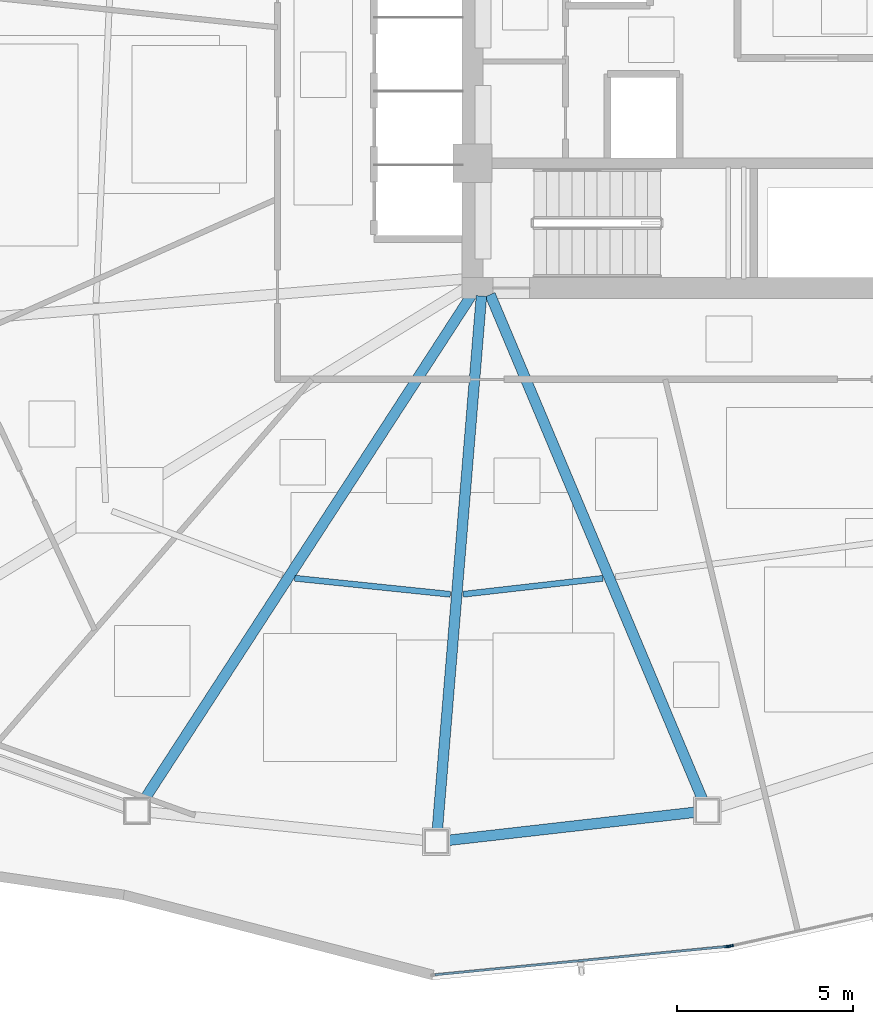
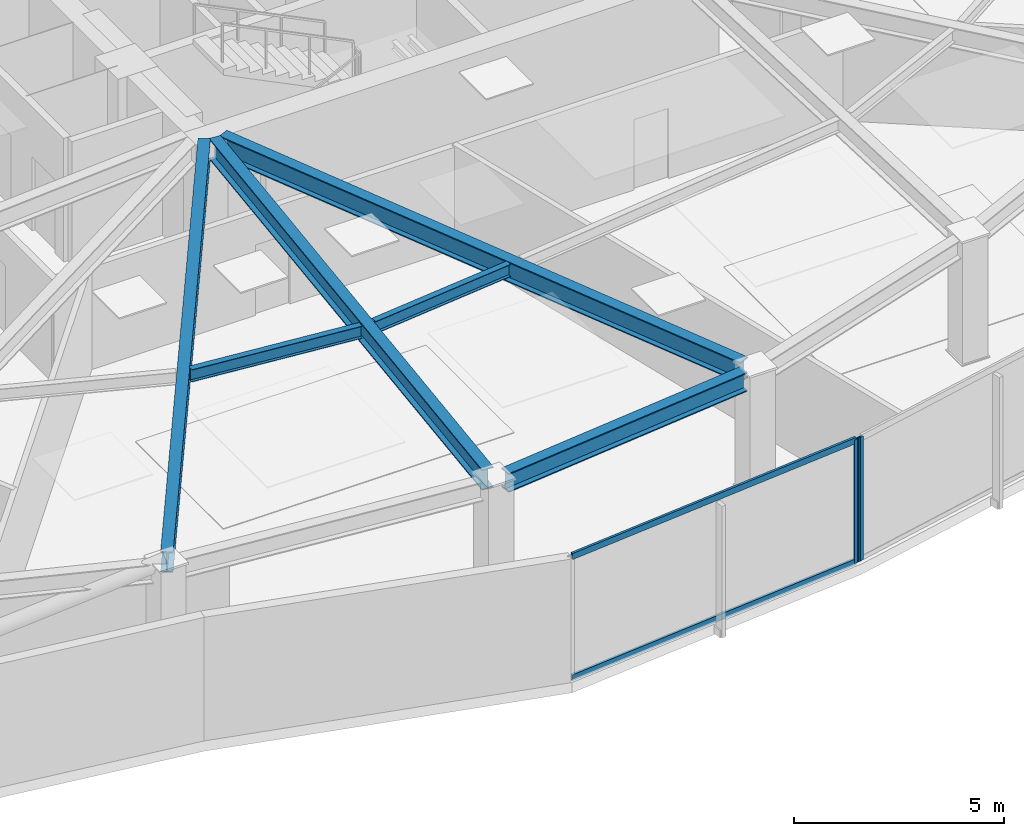
# One storey, part 3 of 18: 6 beams, 4 members, 2 elements without a shape of their own.
"""IFC4 building model written with IfcOpenShell, lengths in metres."""

from ifc_helpers import new_model, si_unit, direction, frame, origin, origin_2d, place, context, subcontext, project, spatial, hollow_rectangle, i_section, extrude, source, transform, mapped, material, layer, layer_set, material_profile, profile_set, type_object, type_shapes, element, aggregate, save


model = new_model("IFC4")

# Units and contexts
model_context = context("Model", 3, precision=1e-05, world=origin(), true_north=direction((0.0, 1.0)))
body_context = subcontext(model_context, "Body", "Model", "MODEL_VIEW")
ifc_project = project(units=[si_unit("LENGTHUNIT", "METRE"), si_unit("AREAUNIT", "SQUARE_METRE"), si_unit("VOLUMEUNIT", "CUBIC_METRE"), si_unit("PLANEANGLEUNIT", "RADIAN"), si_unit("MASSUNIT", "GRAM", prefix="KILO")], contexts=[model_context])

# Site, building, storey
site_placement = place(None, origin())
site = spatial("IfcSite", under=ifc_project, at=site_placement, CompositionType="ELEMENT")
building_placement = place(site_placement, origin())
building = spatial("IfcBuilding", under=site, at=building_placement, Name="Tavelor Broadcast Tower", CompositionType="ELEMENT")
storey_placement = place(building_placement, frame((0.0, 0.0, 62.699951171875)))
storey = spatial("IfcBuildingStorey", under=building, at=storey_placement, Name="L14", CompositionType="ELEMENT", Elevation=62.699951171875)

# Beams
ifc_material_1 = material(Name="Steel S355", Category="steel")
ifc_material_profile_1 = material_profile(ifc_material_1, i_section(OverallWidth=0.169921875, OverallDepth=0.360107421875, WebThickness=0.008056640625, FlangeThickness=0.0126953125, at=origin_2d()), Name="IPE 360")
ifc_profile_set_1 = profile_set([ifc_material_profile_1], Name="Steel S355")
beam_type_1 = type_object("IfcBeamType", Name="Composite Floor Joist T2 IPE 360", PredefinedType="JOIST", material=ifc_profile_set_1)
beam_1_placement = place(storey_placement, frame((38.04052734375, 30.240966796875, 3.420166015625), z_axis=(0.99467108558, -0.103099134387, 0.0), x_axis=(0.103099134387, 0.99467108558, 0.0)))
element("IfcBeam", 1, at=beam_1_placement, inside=storey, type_object=beam_type_1, Name="L14 Secondary Composite Floor Joist 08", PredefinedType="JOIST", context=body_context, shape_type="SweptSolid", body=[
    extrude(i_section(OverallWidth=0.169921875, OverallDepth=0.360107421875, WebThickness=0.008056640625, FlangeThickness=0.0126953125, at=origin_2d()), origin(), (0.0, 0.0, 1.0), 4.45654296875),
])
beam_2_placement = place(storey_placement, frame((42.833251953125, 29.783203125, 3.420166015625), z_axis=(0.993569155888, 0.113226906995, 0.0), x_axis=(-0.113226906995, 0.993569155888, 0.0)))
element("IfcBeam", 2, at=beam_2_placement, inside=storey, type_object=beam_type_1, Name="L14 Secondary Composite Floor Joist 09", PredefinedType="JOIST", context=body_context, shape_type="SweptSolid", body=[
    extrude(i_section(OverallWidth=0.169921875, OverallDepth=0.360107421875, WebThickness=0.008056640625, FlangeThickness=0.0126953125, at=origin_2d()), origin(), (0.0, 0.0, 1.0), 4.00634765625),
])
ifc_material_profile_2 = material_profile(ifc_material_1, i_section(OverallWidth=0.300048828125, OverallDepth=0.550048828125, WebThickness=0.014892578125, FlangeThickness=0.029052734375, at=origin_2d()), Name="HEB 550")
ifc_profile_set_2 = profile_set([ifc_material_profile_2], Name="Steel S355")
beam_type_2 = type_object("IfcBeamType", Name="Perimeter Spandrel Beam T2 HEB 550", PredefinedType="SPANDREL", material=ifc_profile_set_2)
beam_3_placement = place(storey_placement, frame((42.406982421875, 22.778564453125, 3.324951171875), z_axis=(0.993591905029, 0.113027104096, 0.0), x_axis=(-0.113027104096, 0.993591905029, 0.0)))
element("IfcBeam", 3, at=beam_3_placement, inside=storey, type_object=beam_type_2, Name="L14 Framed-Tube Ring Spandrel 09", PredefinedType="SPANDREL", context=body_context, shape_type="SweptSolid", body=[
    extrude(i_section(OverallWidth=0.300048828125, OverallDepth=0.550048828125, WebThickness=0.014892578125, FlangeThickness=0.029052734375, at=origin_2d()), origin(), (0.0, 0.0, 1.0), 7.09130859375),
])
ifc_material_profile_3 = material_profile(ifc_material_1, i_section(OverallWidth=0.300048828125, OverallDepth=0.60009765625, WebThickness=0.015380859375, FlangeThickness=0.030029296875, at=origin_2d()), Name="HEB 600")
ifc_profile_set_3 = profile_set([ifc_material_profile_3], Name="Steel S355")
beam_type_3 = type_object("IfcBeamType", Name="Radial Floor Girder T2 HEB 600", PredefinedType="BEAM", material=ifc_profile_set_3)
beam_4_placement = place(storey_placement, frame((43.11279296875, 38.35693359375, 3.300048828125), z_axis=(-0.544192452451, -0.838960413068, 0.0), x_axis=(0.838960413068, -0.544192452451, 0.0)))
element("IfcBeam", 4, at=beam_4_placement, inside=storey, type_object=beam_type_3, Name="L14 Radial Primary Floor Girder 08", PredefinedType="BEAM", context=body_context, shape_type="SweptSolid", body=[
    extrude(i_section(OverallWidth=0.300048828125, OverallDepth=0.60009765625, WebThickness=0.015380859375, FlangeThickness=0.030029296875, at=origin_2d()), origin(), (0.0, 0.0, 1.0), 17.235107421875),
])
beam_5_placement = place(storey_placement, frame((43.3564453125, 38.273681640625, 3.300048828125), z_axis=(-0.082335312762, -0.996604684051, 0.0), x_axis=(0.996604684051, -0.082335312762, 0.0)))
element("IfcBeam", 5, at=beam_5_placement, inside=storey, type_object=beam_type_3, Name="L14 Radial Primary Floor Girder 09", PredefinedType="BEAM", context=body_context, shape_type="SweptSolid", body=[
    extrude(i_section(OverallWidth=0.300048828125, OverallDepth=0.60009765625, WebThickness=0.015380859375, FlangeThickness=0.030029296875, at=origin_2d()), origin(), (0.0, 0.0, 1.0), 15.25),
])
beam_6_placement = place(storey_placement, frame((43.604736328125, 38.313232421875, 3.300048828125), z_axis=(0.387755556571, -0.921762240683, 0.0), x_axis=(0.921762240683, 0.387755556571, 0.0)))
element("IfcBeam", 6, at=beam_6_placement, inside=storey, type_object=beam_type_3, Name="L14 Radial Primary Floor Girder 10", PredefinedType="BEAM", context=body_context, shape_type="SweptSolid", body=[
    extrude(i_section(OverallWidth=0.300048828125, OverallDepth=0.60009765625, WebThickness=0.015380859375, FlangeThickness=0.030029296875, at=origin_2d()), origin(), (0.0, 0.0, 1.0), 15.6064453125),
])

# Curtain wall, member
ifc_material_2 = material(Name="Architectural Anodized Aluminium", Category="aluminium")
ifc_layer = layer(ifc_material_2, 0.179931640625)
ifc_layer_set = layer_set([ifc_layer], Name="Architectural Anodized Aluminium")
curtain_wall_type = type_object("IfcCurtainWallType", Name="Tower Low-Zone Unitised Curtain Wall CW02", PredefinedType="NOTDEFINED", material=ifc_layer_set)
curtain_wall_1_placement = place(storey_placement, origin())
curtain_wall_1 = element("IfcCurtainWall", 7, at=curtain_wall_1_placement, inside=storey, type_object=curtain_wall_type, Name="L14 Curtain Wall CW02 Run 125", PredefinedType="NOTDEFINED")
ifc_material_profile_4 = material_profile(ifc_material_2, hollow_rectangle(XDim=0.06494140625, YDim=0.179931640625, WallThickness=0.02197265625, at=origin_2d()), Name="RHS 65x180x22")
ifc_profile_set_4 = profile_set([ifc_material_profile_4], Name="Architectural Anodized Aluminium")
member_type_1 = type_object("IfcMemberType", Name="CW02 Extruded Aluminium Mullion 65x180", PredefinedType="MULLION", material=ifc_profile_set_4)
shared_shape_1 = source(origin(), body_context, "Body", "SweptSolid", [
    extrude(hollow_rectangle(XDim=0.06494140625, YDim=0.179931640625, WallThickness=0.02197265625, at=origin_2d()), origin(), (0.0, 0.0, 1.0), 3.60009765625),
])
type_shapes(member_type_1, [shared_shape_1])
member_1_placement = place(storey_placement, frame((50.35009765625, 19.756103515625, 0.0), z_axis=(0.0, 0.0, 1.0), x_axis=(-0.096281463408, 0.995354147931, 0.0)))
member_1 = element("IfcMember", 8, at=member_1_placement, type_object=member_type_1, Name="CW02 mullion 2", PredefinedType="MULLION", context=body_context, shape_type="MappedRepresentation", body=[
    mapped(shared_shape_1, transform((0.0, 0.0, 0.0), scale=1.0)),
])

curtain_wall_2_placement = place(storey_placement, origin())
curtain_wall_2 = element("IfcCurtainWall", 9, at=curtain_wall_2_placement, inside=storey, type_object=curtain_wall_type, Name="L14 Curtain Wall CW02 Run 126", PredefinedType="NOTDEFINED")
member_2_placement = place(storey_placement, frame((50.44384765625, 19.77099609375, 0.0), z_axis=(0.0, 0.0, 1.0), x_axis=(-0.216016673522, 0.976389674649, 0.0)))
member_2 = element("IfcMember", 10, at=member_2_placement, type_object=member_type_1, Name="CW02 mullion 1", PredefinedType="MULLION", context=body_context, shape_type="MappedRepresentation", body=[
    mapped(shared_shape_1, transform((0.0, 0.0, 0.0), scale=1.0)),
])
aggregate(curtain_wall_2, [member_2])

# Member
ifc_material_profile_5 = material_profile(ifc_material_2, hollow_rectangle(XDim=0.06494140625, YDim=0.179931640625, WallThickness=0.02197265625, at=origin_2d()), Name="RHS 65x180x22")
ifc_profile_set_5 = profile_set([ifc_material_profile_5], Name="Architectural Anodized Aluminium")
member_type_2 = type_object("IfcMemberType", Name="CW02 Extruded Aluminium Transom 65x180", PredefinedType="USERDEFINED", material=ifc_profile_set_5)
shared_shape_2 = source(origin(), body_context, "Body", "SweptSolid", [
    extrude(hollow_rectangle(XDim=0.06494140625, YDim=0.179931640625, WallThickness=0.02197265625, at=origin_2d()), origin(), (0.0, 0.0, 1.0), 8.3212890625),
])
type_shapes(member_type_2, [shared_shape_2])
member_3_placement = place(storey_placement, frame((42.03515625, 18.951904296875, 0.032470703125), z_axis=(0.995356091105, 0.096261372838, 0.0), x_axis=(-0.096261372838, 0.995356091105, 0.0)))
member_3 = element("IfcMember", 11, at=member_3_placement, type_object=member_type_2, Name="CW02 transom 1.1", ObjectType="TRANSOM", PredefinedType="USERDEFINED", context=body_context, shape_type="MappedRepresentation", body=[
    mapped(shared_shape_2, transform((0.0, 0.0, 0.0), scale=1.0)),
])

member_4_placement = place(storey_placement, frame((42.03515625, 18.951904296875, 3.567626953125), z_axis=(0.995356091105, 0.096261372838, 0.0), x_axis=(-0.096261372838, 0.995356091105, 0.0)))
member_4 = element("IfcMember", 12, at=member_4_placement, type_object=member_type_2, Name="CW02 transom 1.2", ObjectType="TRANSOM", PredefinedType="USERDEFINED", context=body_context, shape_type="MappedRepresentation", body=[
    mapped(shared_shape_2, transform((0.0, 0.0, 0.0), scale=1.0)),
])

aggregate(curtain_wall_1, [member_1, member_3, member_4])

save(model, "model.ifc")
